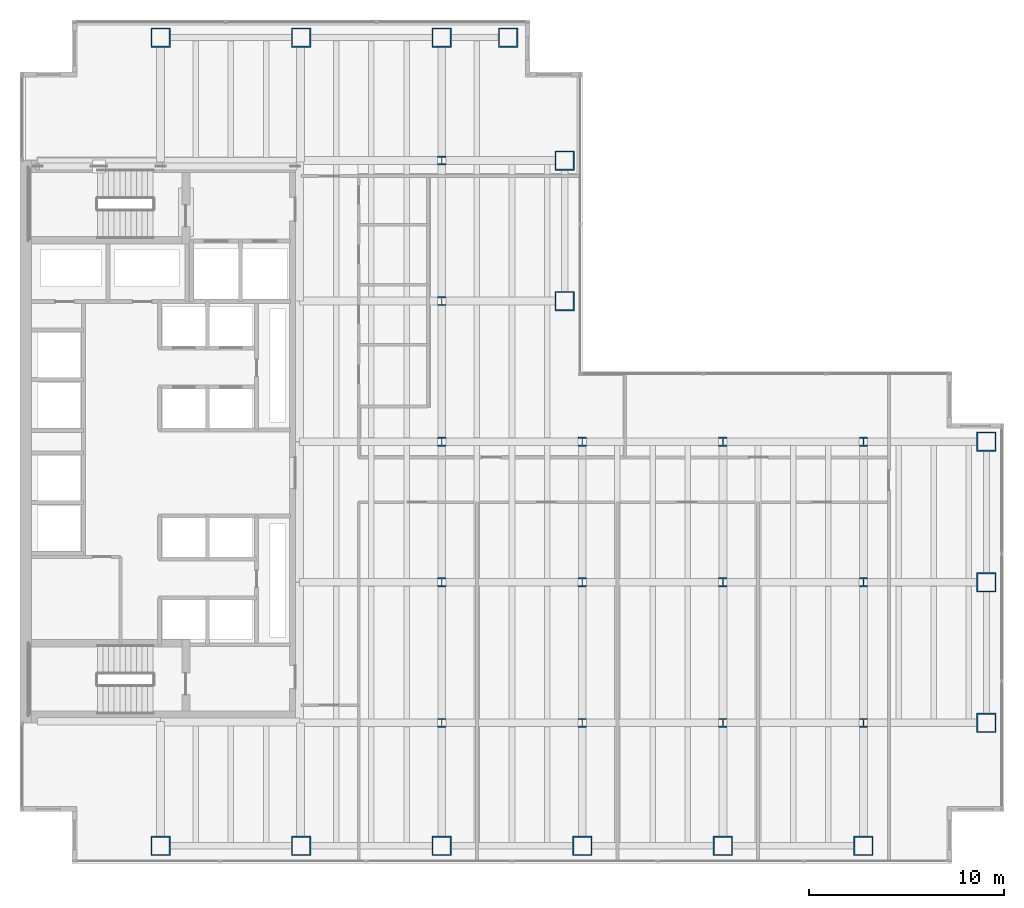
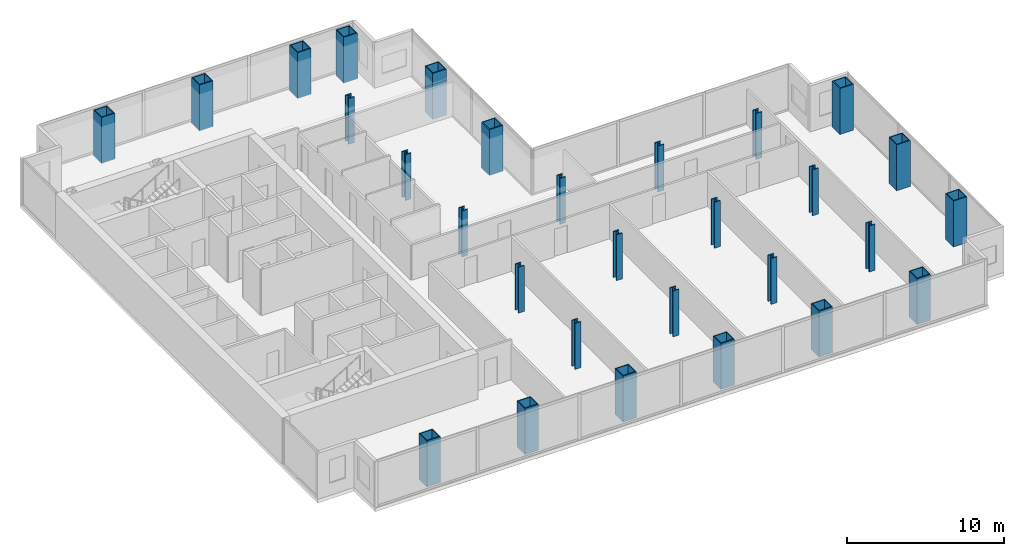
# One storey, part 1 of 23: 29 columns.
"""IFC4 building model written with IfcOpenShell, lengths in metres."""

import ifcopenshell
import ifcopenshell.guid

model = None  # the IFC model being written
_history = None  # IfcOwnerHistory: only IFC2X3 demands one
_inside = {}  # id of a spatial element -> (the spatial element, [elements in it])
_under = {}  # id of a project, library or spatial element -> (it, [spatial elements below it])
_declared = {}  # id of a project -> (the project, [libraries it declares])
_typed = {}  # id of a type object -> (the type object, [elements of that type])
_made_of = {}  # id of a material, layer set ... -> (it, [elements and type objects made of it])


def new_model(schema):
    """Start an empty IFC model of exactly this schema.

    Asked for "IFC4X3", IfcOpenShell would pick the latest addendum, in which some entities
    have other attributes; the version numbers below select the first issue.
    IFC2X3 requires an IfcOwnerHistory on every rooted entity: one is made here for all.
    """
    global model, _history
    if schema == "IFC4X3":
        model = ifcopenshell.file(schema_version=(4, 3, 0, 0))
    else:
        model = ifcopenshell.file(schema=schema)
    _inside.clear()
    _under.clear()
    _declared.clear()
    _typed.clear()
    _made_of.clear()
    _history = None
    if model.schema == "IFC2X3":
        org = make("IfcOrganization", Name="unknown")
        user = make(
            "IfcPersonAndOrganization",
            ThePerson=make("IfcPerson", FamilyName="unknown"),
            TheOrganization=org,
        )
        app = make(
            "IfcApplication",
            ApplicationDeveloper=org,
            Version="unknown",
            ApplicationFullName="unknown",
            ApplicationIdentifier="unknown",
        )
        _history = make(
            "IfcOwnerHistory",
            OwningUser=user,
            OwningApplication=app,
            ChangeAction="ADDED",
            CreationDate=0,
        )
    return model


def make(cls, **values):
    """One entity of the class cls with the attributes given. An attribute that is None is left unset."""
    return model.create_entity(
        cls, **{name: value for name, value in values.items() if value is not None}
    )


def rooted(cls, **values):
    """An entity with a GlobalId (a new one), such as an element, a storey or a relation."""
    return make(cls, GlobalId=ifcopenshell.guid.new(), OwnerHistory=_history, **values)


def si_unit(unit_type, name, prefix=None):
    """IfcSIUnit, for example si_unit("LENGTHUNIT", "METRE", prefix="MILLI")."""
    return make("IfcSIUnit", UnitType=unit_type, Prefix=prefix, Name=name)


def assignment(units):
    """IfcUnitAssignment: the units of a project."""
    return None if units is None else make("IfcUnitAssignment", Units=units)


def point(xyz):
    """IfcCartesianPoint."""
    return None if xyz is None else make("IfcCartesianPoint", Coordinates=xyz)


def direction(xyz):
    """IfcDirection."""
    return None if xyz is None else make("IfcDirection", DirectionRatios=xyz)


def frame(location, z_axis=None, x_axis=None):
    """IfcAxis2Placement3D, a coordinate frame: its origin and axes. An axis left out is left unset."""
    return make(
        "IfcAxis2Placement3D",
        Location=point(location),
        Axis=direction(z_axis),
        RefDirection=direction(x_axis),
    )


def frame_2d(location, x_axis=None):
    """IfcAxis2Placement2D, a coordinate frame in the plane: its origin and x axis."""
    return make(
        "IfcAxis2Placement2D", Location=point(location), RefDirection=direction(x_axis)
    )


def origin():
    """The frame at (0, 0, 0) with its axes left unset."""
    return frame((0.0, 0.0, 0.0))


def origin_2d():
    """The frame at (0, 0) in the plane with its x axis left unset."""
    return frame_2d((0.0, 0.0))


def place(relative_to, where):
    """IfcLocalPlacement: puts the frame where relative to a parent placement (None: the world)."""
    return make(
        "IfcLocalPlacement", PlacementRelTo=relative_to, RelativePlacement=where
    )


def context(
    kind, dimensions, precision=None, world=None, true_north=None, identifier=None
):
    """IfcGeometricRepresentationContext, for example the 3D "Model" context."""
    return make(
        "IfcGeometricRepresentationContext",
        ContextIdentifier=identifier,
        ContextType=kind,
        CoordinateSpaceDimension=dimensions,
        Precision=precision,
        WorldCoordinateSystem=world,
        TrueNorth=true_north,
    )


def subcontext(parent, identifier, kind, view, scale=None):
    """IfcGeometricRepresentationSubContext, for example "Body" below "Model"."""
    return make(
        "IfcGeometricRepresentationSubContext",
        ContextIdentifier=identifier,
        ContextType=kind,
        ParentContext=parent,
        TargetScale=scale,
        TargetView=view,
    )


def project(units=None, contexts=None):
    """IfcProject with its units and contexts."""
    return rooted(
        "IfcProject",
        Name="project",
        RepresentationContexts=contexts,
        UnitsInContext=assignment(units),
    )


def spatial(cls, under=None, at=None, **own):
    """A site, building, storey or space (cls), placed at a placement, below another one or the project."""
    s = rooted(cls, ObjectPlacement=at, **own)
    if under is not None:
        _under.setdefault(under.id(), (under, []))[1].append(s)
    return s


def profile(cls, at=None, kind="AREA", **sizes):
    """A parametric profile (cls). Its sizes go by their IFC names, for example OverallWidth=200.0."""
    return make(cls, ProfileType=kind, Position=at, **sizes)


def hollow_rectangle(**sizes):
    """IfcRectangleHollowProfileDef."""
    return profile("IfcRectangleHollowProfileDef", **sizes)


def i_section(**sizes):
    """IfcIShapeProfileDef."""
    return profile("IfcIShapeProfileDef", **sizes)


def extrude(swept, where, along, depth):
    """IfcExtrudedAreaSolid: the profile swept, set in the frame where, extruded along a direction by depth."""
    return make(
        "IfcExtrudedAreaSolid",
        SweptArea=swept,
        Position=where,
        ExtrudedDirection=direction(along),
        Depth=depth,
    )


def shape(context_of_items, identifier, shape_type, items):
    """IfcShapeRepresentation: the items that make up one representation, for example the "Body"."""
    return make(
        "IfcShapeRepresentation",
        ContextOfItems=context_of_items,
        RepresentationIdentifier=identifier,
        RepresentationType=shape_type,
        Items=items,
    )


def material(Name=None, Category=None):
    """IfcMaterial."""
    return make("IfcMaterial", Name=Name, Category=Category)


def material_profile(
    of_material, cross_section, Name=None, Category=None, Priority=None
):
    """IfcMaterialProfile: a cross section and its material."""
    return make(
        "IfcMaterialProfile",
        Name=Name,
        Material=of_material,
        Profile=cross_section,
        Priority=Priority,
        Category=Category,
    )


def profile_set(profiles, Name=None, composite=None):
    """IfcMaterialProfileSet."""
    return make(
        "IfcMaterialProfileSet",
        Name=Name,
        MaterialProfiles=profiles,
        CompositeProfile=composite,
    )


def made_of(thing, what):
    """Note that an element or type object is made of a material, layer set ...; save() writes the relation."""
    if what is not None:
        _made_of.setdefault(what.id(), (what, []))[1].append(thing)
    return thing


def type_object(cls, material=None, **own):
    """A type object (cls), such as IfcWallType, which elements share."""
    return made_of(rooted(cls, **own), material)


def element(
    cls,
    number,
    at=None,
    inside=None,
    cuts=None,
    type_object=None,
    material=None,
    context=None,
    identifier="Body",
    shape_type=None,
    held_by="IfcProductDefinitionShape",
    body=None,
    shapes=None,
    **own,
):
    """One element of the class cls, such as IfcWall. Its Tag is "e" and its number.

    at: its placement. inside: the storey or other place that contains it. cuts: it is an
    opening in that element (IfcRelVoidsElement). A single representation is given by context,
    identifier, shape_type and body (its items); several are given by shapes. held_by: the class
    of the entity that holds the representations. save() writes the other relations.
    """
    e = rooted(cls, Tag="e%d" % number, ObjectPlacement=at, **own)
    if body is not None:
        shapes = [shape(context, identifier, shape_type, body)]
    if shapes is not None:
        e.Representation = make(held_by, Representations=shapes)
    if inside is not None:
        _inside.setdefault(inside.id(), (inside, []))[1].append(e)
    if cuts is not None:
        rooted(
            "IfcRelVoidsElement", RelatingBuildingElement=cuts, RelatedOpeningElement=e
        )
    if type_object is not None:
        _typed.setdefault(type_object.id(), (type_object, []))[1].append(e)
    return made_of(e, material)


def aggregate(whole, parts):
    """IfcRelAggregates: a whole, such as a stair, and the parts it consists of."""
    return rooted("IfcRelAggregates", RelatingObject=whole, RelatedObjects=parts)


def save(model, path):
    """Write the relations noted so far, then the file.

    IfcRelAggregates (storeys below a building ...), IfcRelContainedInSpatialStructure (elements
    in a storey), IfcRelDefinesByType, IfcRelAssociatesMaterial and IfcRelDeclares: one each for
    every whole, place, type object, material and project.
    """
    for whole, parts in _under.values():
        aggregate(whole, parts)
    for where, things in _inside.values():
        rooted(
            "IfcRelContainedInSpatialStructure",
            RelatedElements=things,
            RelatingStructure=where,
        )
    for kind, things in _typed.values():
        rooted("IfcRelDefinesByType", RelatedObjects=things, RelatingType=kind)
    for what, things in _made_of.values():
        rooted("IfcRelAssociatesMaterial", RelatedObjects=things, RelatingMaterial=what)
    for by, libraries in _declared.values():
        rooted("IfcRelDeclares", RelatingContext=by, RelatedDefinitions=libraries)
    model.write(path)


model = new_model("IFC4")

# Units and contexts
model_context = context("Model", 3, precision=1e-05, world=origin(), true_north=direction((0.0, 1.0)))
body_context = subcontext(model_context, "Body", "Model", "MODEL_VIEW")
ifc_project = project(units=[si_unit("LENGTHUNIT", "METRE"), si_unit("AREAUNIT", "SQUARE_METRE"), si_unit("VOLUMEUNIT", "CUBIC_METRE"), si_unit("PLANEANGLEUNIT", "RADIAN"), si_unit("MASSUNIT", "GRAM", prefix="KILO")], contexts=[model_context])

# Site, building, storey
site_placement = place(None, origin())
site = spatial("IfcSite", under=ifc_project, at=site_placement, CompositionType="ELEMENT")
building_placement = place(site_placement, origin())
building = spatial("IfcBuilding", under=site, at=building_placement, Name="Cobrela Telecom Tower", CompositionType="ELEMENT")
storey_placement = place(building_placement, frame((0.0, 0.0, 50.39990234375)))
storey = spatial("IfcBuildingStorey", under=building, at=storey_placement, Name="L12", CompositionType="ELEMENT", Elevation=50.39990234375)

# Columns
ifc_material_1 = material(Name="Steel ASTM A992 Grade 50", Category="steel")
ifc_material_profile_1 = material_profile(ifc_material_1, i_section(OverallWidth=0.422119140625, OverallDepth=0.465087890625, WebThickness=0.044921875, FlangeThickness=0.072509765625, FilletRadius=0.01806640625, at=origin_2d()), Name="W14X398")
ifc_profile_set_1 = profile_set([ifc_material_profile_1], Name="Steel ASTM A992 Grade 50")
column_type_1 = type_object("IfcColumnType", Name="COL-INT-04", PredefinedType="COLUMN", material=ifc_profile_set_1)
for number, where, z_axis, x_axis, name in (
    (1, (21.60009765625, 7.199951171875, 0.0), (0.0, 0.0, 1.0), (1.0, 0.0, 0.0), "L12 Interior Column 06"),
    (2, (21.60009765625, 14.39990234375, 0.0), (0.0, 0.0, 1.0), (1.0, 0.0, 0.0), "L12 Interior Column 07"),
    (3, (21.60009765625, 21.60009765625, 0.0), (0.0, 0.0, 1.0), (1.0, 0.0, 0.0), "L12 Interior Column 08"),
    (4, (21.60009765625, 28.800048828125, 0.0), (0.0, 0.0, 1.0), (1.0, 0.0, 0.0), "L12 Interior Column 09"),
    (5, (21.60009765625, 36.0, 0.0), (0.0, 0.0, 1.0), (1.0, 0.0, 0.0), "L12 Interior Column 10"),
    (6, (28.800048828125, 7.199951171875, 0.0), (0.0, 0.0, 1.0), (1.0, 0.0, 0.0), "L12 Interior Column 16"),
    (7, (28.800048828125, 14.39990234375, 0.0), (0.0, 0.0, 1.0), (1.0, 0.0, 0.0), "L12 Interior Column 17"),
    (8, (28.800048828125, 21.60009765625, 0.0), (0.0, 0.0, 1.0), (1.0, 0.0, 0.0), "L12 Interior Column 18"),
    (9, (36.0, 7.199951171875, 0.0), (0.0, 0.0, 1.0), (1.0, 0.0, 0.0), "L12 Interior Column 20"),
    (10, (36.0, 14.39990234375, 0.0), (0.0, 0.0, 1.0), (1.0, 0.0, 0.0), "L12 Interior Column 21"),
    (11, (36.0, 21.60009765625, 0.0), (0.0, 0.0, 1.0), (1.0, 0.0, 0.0), "L12 Interior Column 22"),
    (12, (43.199951171875, 7.199951171875, 0.0), (0.0, 0.0, 1.0), (1.0, 0.0, 0.0), "L12 Interior Column 24"),
    (13, (43.199951171875, 14.39990234375, 0.0), (0.0, 0.0, 1.0), (1.0, 0.0, 0.0), "L12 Interior Column 25"),
    (14, (43.199951171875, 21.60009765625, 0.0), (0.0, 0.0, 1.0), (1.0, 0.0, 0.0), "L12 Interior Column 26"),
):
    element("IfcColumn", number, at=place(storey_placement, frame(where, z_axis=z_axis, x_axis=x_axis)), inside=storey, type_object=column_type_1, Name=name, PredefinedType="COLUMN", context=body_context, shape_type="SweptSolid", body=[
        extrude(i_section(OverallWidth=0.422119140625, OverallDepth=0.465087890625, WebThickness=0.044921875, FlangeThickness=0.072509765625, FilletRadius=0.01806640625, at=origin_2d()), origin(), (0.0, 0.0, 1.0), 3.570068359375),
    ])
ifc_material_2 = material(Name="Steel ASTM A572 Grade 50", Category="steel")
ifc_material_profile_2 = material_profile(ifc_material_2, hollow_rectangle(XDim=1.0, YDim=1.0, WallThickness=0.06494140625, at=origin_2d()), Name="BOX 1000x1000x65")
ifc_profile_set_2 = profile_set([ifc_material_profile_2], Name="Steel ASTM A572 Grade 50")
column_type_2 = type_object("IfcColumnType", Name="COL-MEGA-03", PredefinedType="COLUMN", material=ifc_profile_set_2)
for number, where, z_axis, x_axis, name in (
    (15, (7.199951171875, 0.89990234375, 0.0), (0.0, 0.0, 1.0), (1.0, 0.0, 0.0), "L12 Perimeter Mega-Column 01"),
    (16, (7.199951171875, 42.300048828125, 0.0), (0.0, 0.0, 1.0), (1.0, 0.0, 0.0), "L12 Perimeter Mega-Column 02"),
    (17, (14.39990234375, 0.89990234375, 0.0), (0.0, 0.0, 1.0), (1.0, 0.0, 0.0), "L12 Perimeter Mega-Column 03"),
    (18, (14.39990234375, 42.300048828125, 0.0), (0.0, 0.0, 1.0), (1.0, 0.0, 0.0), "L12 Perimeter Mega-Column 04"),
    (19, (21.60009765625, 0.89990234375, 0.0), (0.0, 0.0, 1.0), (1.0, 0.0, 0.0), "L12 Perimeter Mega-Column 05"),
    (20, (21.60009765625, 42.300048828125, 0.0), (0.0, 0.0, 1.0), (1.0, 0.0, 0.0), "L12 Perimeter Mega-Column 11"),
    (21, (25.0, 42.300048828125, 0.0), (0.0, 0.0, 1.0), (1.0, 0.0, 0.0), "L12 Perimeter Mega-Column 12"),
    (22, (27.89990234375, 28.800048828125, 0.0), (0.0, 0.0, 1.0), (1.0, 0.0, 0.0), "L12 Perimeter Mega-Column 13"),
    (23, (27.89990234375, 36.0, 0.0), (0.0, 0.0, 1.0), (1.0, 0.0, 0.0), "L12 Perimeter Mega-Column 14"),
    (24, (28.800048828125, 0.89990234375, 0.0), (0.0, 0.0, 1.0), (1.0, 0.0, 0.0), "L12 Perimeter Mega-Column 15"),
    (25, (36.0, 0.89990234375, 0.0), (0.0, 0.0, 1.0), (1.0, 0.0, 0.0), "L12 Perimeter Mega-Column 19"),
    (26, (43.199951171875, 0.89990234375, 0.0), (0.0, 0.0, 1.0), (1.0, 0.0, 0.0), "L12 Perimeter Mega-Column 23"),
    (27, (49.5, 7.199951171875, 0.0), (0.0, 0.0, 1.0), (1.0, 0.0, 0.0), "L12 Perimeter Mega-Column 27"),
    (28, (49.5, 14.39990234375, 0.0), (0.0, 0.0, 1.0), (1.0, 0.0, 0.0), "L12 Perimeter Mega-Column 28"),
    (29, (49.5, 21.60009765625, 0.0), (0.0, 0.0, 1.0), (1.0, 0.0, 0.0), "L12 Perimeter Mega-Column 29"),
):
    element("IfcColumn", number, at=place(storey_placement, frame(where, z_axis=z_axis, x_axis=x_axis)), inside=storey, type_object=column_type_2, Name=name, PredefinedType="COLUMN", context=body_context, shape_type="SweptSolid", body=[
        extrude(hollow_rectangle(XDim=1.0, YDim=1.0, WallThickness=0.06494140625, at=origin_2d()), origin(), (0.0, 0.0, 1.0), 3.570068359375),
    ])

save(model, "model.ifc")
